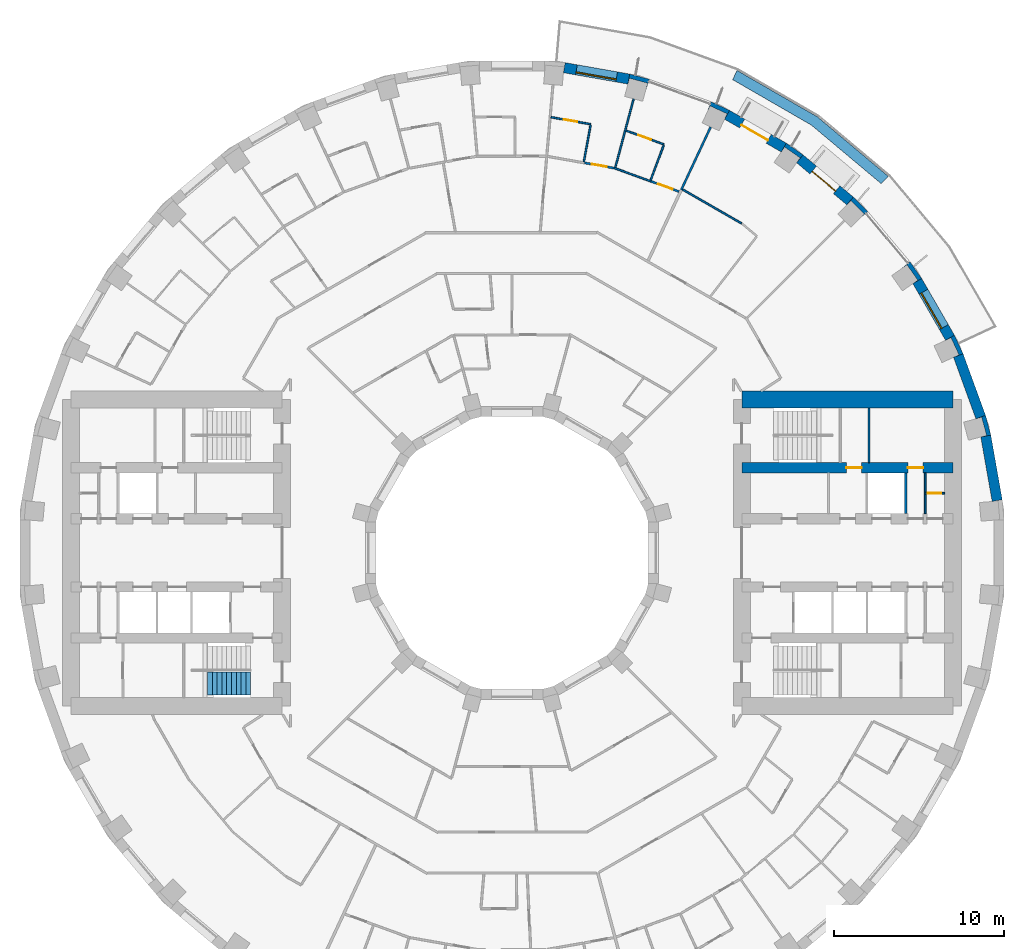
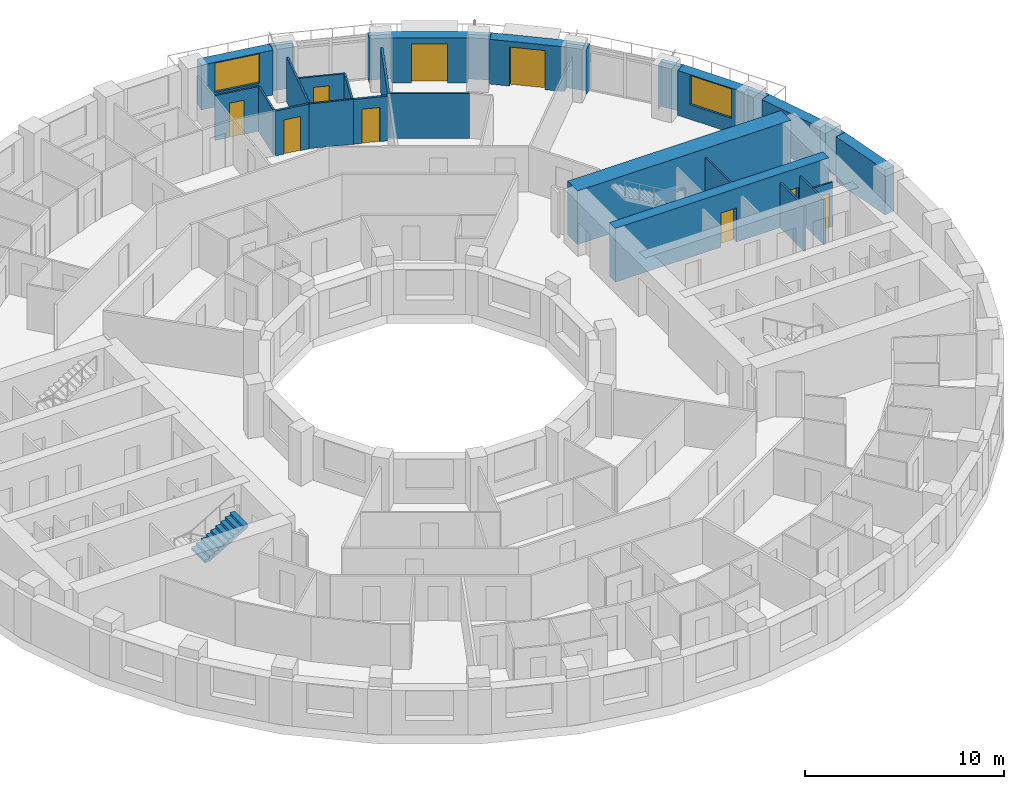
# One storey, part 13 of 15: 30 walls, 9 doors, 2 windows, 1 stair flight, 11 openings, 1 element without a shape of its own.
"""IFC4 building model written with IfcOpenShell, lengths in metres."""

from ifc_helpers import new_model, si_unit, direction, frame, frame_2d, origin, place, context, subcontext, project, spatial, polyline, rectangle, outline, extrude, material, layer, layer_set, type_object, element, fill, aggregate, save


model = new_model("IFC4")

# Units and contexts
model_context = context("Model", 3, precision=1e-05, world=origin(), true_north=direction((0.0, 1.0)))
body_context = subcontext(model_context, "Body", "Model", "MODEL_VIEW")
ifc_project = project(units=[si_unit("LENGTHUNIT", "METRE"), si_unit("AREAUNIT", "SQUARE_METRE"), si_unit("VOLUMEUNIT", "CUBIC_METRE"), si_unit("PLANEANGLEUNIT", "RADIAN"), si_unit("MASSUNIT", "GRAM", prefix="KILO")], contexts=[model_context])

# Site, building, storey
site_placement = place(None, origin())
site = spatial("IfcSite", under=ifc_project, at=site_placement, CompositionType="ELEMENT")
building_placement = place(site_placement, origin())
building = spatial("IfcBuilding", under=site, at=building_placement, Name="Saqina Gate Tower", CompositionType="ELEMENT")
storey_placement = place(building_placement, frame((0.0, 0.0, 69.199951171875)))
storey = spatial("IfcBuildingStorey", under=building, at=storey_placement, Name="L19", CompositionType="ELEMENT", Elevation=69.199951171875)

# Walls
ifc_material_1 = material(Name="Brick masonry (red)", Category="masonry")
wall_type_1 = type_object("IfcWallType", Name="BRICK PIER COPING RED", PredefinedType="SOLIDWALL", material=ifc_material_1)
wall_1_placement = place(storey_placement, origin())
element("IfcWall", 1, at=wall_1_placement, inside=storey, type_object=wall_type_1, Name="Pier cap L19 column 2", PredefinedType="SOLIDWALL", context=body_context, shape_type="SweptSolid", body=[
    extrude(outline(polyline([(28.11669921875, 6.910400390625), (27.80517578125, 8.073974609375), (27.2412109375, 7.86865234375), (27.57958984375, 7.95947265625), (27.864501953125, 6.896728515625), (27.52587890625, 6.80615234375), (28.11669921875, 6.910400390625)])), origin(), (0.0, 0.0, 1.0), 2.75),
])
wall_2_placement = place(storey_placement, origin())
element("IfcWall", 2, at=wall_2_placement, inside=storey, type_object=wall_type_1, Name="Pier cap L19 column 3", PredefinedType="SOLIDWALL", context=body_context, shape_type="SweptSolid", body=[
    extrude(outline(polyline([(25.980712890625, 12.779541015625), (25.4609375, 12.4794921875), (25.778564453125, 12.627685546875), (26.243408203125, 11.630615234375), (25.92578125, 11.482666015625), (26.48974609375, 11.687744140625), (25.980712890625, 12.779541015625)])), origin(), (0.0, 0.0, 1.0), 2.75),
])
wall_3_placement = place(storey_placement, origin())
element("IfcWall", 3, at=wall_3_placement, inside=storey, type_object=wall_type_1, Name="Pier cap L19 column 4", PredefinedType="SOLIDWALL", context=body_context, shape_type="SweptSolid", body=[
    extrude(outline(polyline([(24.0576171875, 16.110107421875), (23.36669921875, 17.096923828125), (22.9072265625, 16.711181640625), (23.194091796875, 16.912109375), (23.8251953125, 16.010986328125), (23.5380859375, 15.81005859375), (24.0576171875, 16.110107421875)])), origin(), (0.0, 0.0, 1.0), 2.75),
])
wall_4_placement = place(storey_placement, origin())
element("IfcWall", 4, at=wall_4_placement, inside=storey, type_object=wall_type_1, Name="Pier cap L19 column 5", PredefinedType="SOLIDWALL", context=body_context, shape_type="SweptSolid", body=[
    extrude(outline(polyline([(20.04296875, 20.894775390625), (19.6572265625, 20.43505859375), (19.905029296875, 20.682861328125), (20.682861328125, 19.905029296875), (20.43505859375, 19.6572265625), (20.894775390625, 20.04296875), (20.04296875, 20.894775390625)])), origin(), (0.0, 0.0, 1.0), 2.75),
])
wall_5_placement = place(storey_placement, origin())
element("IfcWall", 5, at=wall_5_placement, inside=storey, type_object=wall_type_1, Name="Pier cap L19 column 6", PredefinedType="SOLIDWALL", context=body_context, shape_type="SweptSolid", body=[
    extrude(outline(polyline([(17.096923828125, 23.36669921875), (16.110107421875, 24.0576171875), (15.81005859375, 23.5380859375), (16.010986328125, 23.8251953125), (16.912109375, 23.194091796875), (16.711181640625, 22.9072265625), (17.096923828125, 23.36669921875)])), origin(), (0.0, 0.0, 1.0), 2.75),
])
wall_6_placement = place(storey_placement, origin())
element("IfcWall", 6, at=wall_6_placement, inside=storey, type_object=wall_type_1, Name="Pier cap L19 column 7", PredefinedType="SOLIDWALL", context=body_context, shape_type="SweptSolid", body=[
    extrude(outline(polyline([(11.687744140625, 26.48974609375), (11.482666015625, 25.92578125), (11.630615234375, 26.243408203125), (12.627685546875, 25.778564453125), (12.4794921875, 25.4609375), (12.779541015625, 25.980712890625), (11.687744140625, 26.48974609375)])), origin(), (0.0, 0.0, 1.0), 2.75),
])
wall_7_placement = place(storey_placement, origin())
element("IfcWall", 7, at=wall_7_placement, inside=storey, type_object=wall_type_1, Name="Pier cap L19 column 8", PredefinedType="SOLIDWALL", context=body_context, shape_type="SweptSolid", body=[
    extrude(outline(polyline([(6.910400390625, 28.11669921875), (6.80615234375, 27.52587890625), (6.896728515625, 27.864501953125), (7.95947265625, 27.57958984375), (7.86865234375, 27.2412109375), (8.073974609375, 27.80517578125), (6.910400390625, 28.11669921875)])), origin(), (0.0, 0.0, 1.0), 2.75),
])
ifc_material_2 = material(Name="Gypsum board on steel studs", Category="steel")
ifc_layer_1 = layer(ifc_material_2, 0.10009765625)
ifc_layer_set_1 = layer_set([ifc_layer_1], Name="CORE PARTITION")
wall_type_2 = type_object("IfcWallType", Name="CORE PARTITION", PredefinedType="PARTITIONING", material=ifc_layer_set_1)
wall_8_placement = place(storey_placement, frame((24.260009765625, 2.300048828125, 0.0), z_axis=(0.0, 0.0, 1.0), x_axis=(0.0, 1.0, 0.0)))
element("IfcWall", 8, at=wall_8_placement, inside=storey, type_object=wall_type_2, Name="L19-CP-E04", PredefinedType="PARTITIONING", context=body_context, shape_type="SweptSolid", body=[
    extrude(rectangle(XDim=2.39990234375, YDim=0.10009765625, at=frame_2d((1.199951171875, 0.0))), origin(), (0.0, 0.0, 1.0), 2.75),
])

# Wall, opening, door
wall_9_placement = place(storey_placement, frame((24.260009765625, 3.5, 0.0), z_axis=(0.0, 0.0, 1.0), x_axis=(1.0, 0.0, 0.0)))
wall_9 = element("IfcWall", 9, at=wall_9_placement, inside=storey, type_object=wall_type_2, Name="L19-CP-E10", PredefinedType="PARTITIONING", context=body_context, shape_type="SweptSolid", body=[
    extrude(rectangle(XDim=1.139892578125, YDim=0.10009765625, at=frame_2d((0.56982421875, 0.0))), origin(), (0.0, 0.0, 1.0), 2.75),
])
opening_1_placement = place(wall_9_placement, frame((0.14990234375, 0.0, 0.0)))
opening_1 = element("IfcOpeningElement", 10, at=opening_1_placement, cuts=wall_9, Name="Opening G05-D97", PredefinedType="OPENING", context=body_context, shape_type="SweptSolid", body=[
    extrude(rectangle(XDim=0.800048828125, YDim=2.10009765625, at=frame_2d((0.39990234375, 1.050048828125))), frame((0.0, 0.06201171875, 0.0), z_axis=(0.0, -1.0, 0.0), x_axis=(1.0, 0.0, 0.0)), (0.0, 0.0, 1.0), 0.1240234375),
])
ifc_material_3 = material(Name="Steel-framed fire door leaf, EI 60", Category="steel")
door_type_1 = type_object("IfcDoorType", Name="SERVICE ROOM DOOR 800", OperationType="SINGLE_SWING_LEFT", PredefinedType="DOOR", material=ifc_material_3)
door_1_placement = place(opening_1_placement, origin())
door_1 = element("IfcDoor", 11, at=door_1_placement, inside=storey, type_object=door_type_1, Name="L19-CD-E08", OperationType="SINGLE_SWING_RIGHT", OverallHeight=2.10009765625, OverallWidth=0.800048828125, PredefinedType="DOOR", context=body_context, shape_type="SweptSolid", body=[
    extrude(rectangle(XDim=0.800048828125, YDim=2.10009765625, at=frame_2d((0.39990234375, 1.050048828125))), frame((0.0, 0.02490234375, 0.0), z_axis=(0.0, -1.0, 0.0), x_axis=(1.0, 0.0, 0.0)), (0.0, 0.0, 1.0), 0.050048828125),
])
fill(opening_1, door_1)

# Wall
wall_10_placement = place(storey_placement, frame((20.961669921875, 5.300048828125, 0.0), z_axis=(0.0, 0.0, 1.0), x_axis=(0.0, 1.0, 0.0)))
element("IfcWall", 12, at=wall_10_placement, inside=storey, type_object=wall_type_2, Name="L19-CP-E12", PredefinedType="PARTITIONING", context=body_context, shape_type="SweptSolid", body=[
    extrude(rectangle(XDim=3.199951171875, YDim=0.10009765625, at=frame_2d((1.60009765625, 0.0))), origin(), (0.0, 0.0, 1.0), 2.75),
])

# Wall, opening, window
ifc_material_4 = material(Name="Brick masonry (red)", Category="masonry")
ifc_layer_2 = layer(ifc_material_4, 0.60009765625)
ifc_layer_set_2 = layer_set([ifc_layer_2], Name="FW-BRICK-RED")
wall_type_3 = type_object("IfcWallType", Name="FW-BRICK-RED", PredefinedType="SOLIDWALL", material=ifc_layer_set_2)
wall_11_placement = place(storey_placement, frame((25.720703125, 12.629638671875, 0.0), z_axis=(0.0, 0.0, 1.0), x_axis=(-0.499989888488, 0.86603124159, 0.0)))
wall_11 = element("IfcWall", 13, at=wall_11_placement, inside=storey, type_object=wall_type_3, Name="Facade wall L19 facet 3", PredefinedType="SOLIDWALL", context=body_context, shape_type="SweptSolid", body=[
    extrude(rectangle(XDim=3.845703125, YDim=0.60009765625, at=frame_2d((1.9228515625, 0.0))), origin(), (0.0, 0.0, 1.0), 2.75),
])
opening_2_placement = place(wall_11_placement, frame((0.722900390625, 0.0, 0.89990234375)))
opening_2 = element("IfcOpeningElement", 14, at=opening_2_placement, cuts=wall_11, Name="Opening G05-W01", PredefinedType="OPENING", context=body_context, shape_type="SweptSolid", body=[
    extrude(rectangle(XDim=2.39990234375, YDim=1.800048828125, at=frame_2d((1.199951171875, 0.89990234375))), frame((0.0, 0.31201171875, 0.0), z_axis=(0.0, -1.0, 0.0), x_axis=(1.0, 0.0, 0.0)), (0.0, 0.0, 1.0), 0.6240234375),
])
ifc_material_5 = material(Name="Aluminium glazing", Category="aluminium")
window_type = type_object("IfcWindowType", Name="WN-A", PartitioningType="SINGLE_PANEL", PredefinedType="WINDOW", material=ifc_material_5)
window_1_placement = place(opening_2_placement, origin())
window_1 = element("IfcWindow", 15, at=window_1_placement, inside=storey, type_object=window_type, Name="Window L19 facet 3", OverallHeight=1.800048828125, OverallWidth=2.39990234375, PartitioningType="SINGLE_PANEL", PredefinedType="WINDOW", context=body_context, shape_type="SweptSolid", body=[
    extrude(rectangle(XDim=2.39990234375, YDim=1.800048828125, at=frame_2d((1.199951171875, 0.89990234375))), frame((0.0, 0.179931640625, 0.0), z_axis=(0.0, -1.0, 0.0), x_axis=(1.0, 0.0, 0.0)), (0.0, 0.0, 1.0), 0.06005859375),
])
fill(opening_2, window_1)

# Wall, opening, door
wall_12_placement = place(storey_placement, frame((19.85009765625, 20.664794921875, 0.0), z_axis=(0.0, 0.0, 1.0), x_axis=(-0.766026164483, 0.642809392687, 0.0)))
wall_12 = element("IfcWall", 16, at=wall_12_placement, inside=storey, type_object=wall_type_3, Name="Facade wall L19 facet 5", PredefinedType="SOLIDWALL", context=body_context, shape_type="SweptSolid", body=[
    extrude(rectangle(XDim=3.845947265625, YDim=0.60009765625, at=frame_2d((1.9228515625, 0.0))), origin(), (0.0, 0.0, 1.0), 2.75),
])
opening_3_placement = place(wall_12_placement, frame((1.02294921875, 0.0, 0.0)))
opening_3 = element("IfcOpeningElement", 17, at=opening_3_placement, cuts=wall_12, Name="Opening G05-D80", PredefinedType="OPENING", context=body_context, shape_type="SweptSolid", body=[
    extrude(rectangle(XDim=1.800048828125, YDim=2.39990234375, at=frame_2d((0.89990234375, 1.199951171875))), frame((0.0, 0.31201171875, 0.0), z_axis=(0.0, -1.0, 0.0), x_axis=(1.0, 0.0, 0.0)), (0.0, 0.0, 1.0), 0.6240234375),
])
ifc_material_6 = material(Name="Aluminium glazing", Category="aluminium")
door_type_2 = type_object("IfcDoorType", Name="GD-A", OperationType="DOUBLE_DOOR_SINGLE_SWING", PredefinedType="DOOR", material=ifc_material_6)
door_2_placement = place(opening_3_placement, frame((1.800048828125, 0.0, 0.0), z_axis=(0.0, 0.0, 1.0), x_axis=(-1.0, 0.0, 0.0)))
door_2 = element("IfcDoor", 18, at=door_2_placement, inside=storey, type_object=door_type_2, Name="Terrace door L19 facet 5", OperationType="DOUBLE_DOOR_SINGLE_SWING", OverallHeight=2.39990234375, OverallWidth=1.800048828125, PredefinedType="DOOR", context=body_context, shape_type="SweptSolid", body=[
    extrude(rectangle(XDim=1.800048828125, YDim=2.39990234375, at=frame_2d((0.89990234375, 1.199951171875))), frame((0.0, -0.0751953125, 0.0), z_axis=(0.0, -1.0, 0.0), x_axis=(1.0, 0.0, 0.0)), (0.0, 0.0, 1.0), 0.050048828125),
])
fill(opening_3, door_2)

wall_13_placement = place(storey_placement, frame((15.960205078125, 23.7978515625, 0.0), z_axis=(0.0, 0.0, 1.0), x_axis=(-0.86603124159, 0.499989888488, 0.0)))
wall_13 = element("IfcWall", 19, at=wall_13_placement, inside=storey, type_object=wall_type_3, Name="Facade wall L19 facet 6", PredefinedType="SOLIDWALL", context=body_context, shape_type="SweptSolid", body=[
    extrude(rectangle(XDim=3.845703125, YDim=0.60009765625, at=frame_2d((1.9228515625, 0.0))), origin(), (0.0, 0.0, 1.0), 2.75),
])
opening_4_placement = place(wall_13_placement, frame((1.02294921875, 0.0, 0.0)))
opening_4 = element("IfcOpeningElement", 20, at=opening_4_placement, cuts=wall_13, Name="Opening G05-D81", PredefinedType="OPENING", context=body_context, shape_type="SweptSolid", body=[
    extrude(rectangle(XDim=1.800048828125, YDim=2.39990234375, at=frame_2d((0.89990234375, 1.199951171875))), frame((0.0, 0.31201171875, 0.0), z_axis=(0.0, -1.0, 0.0), x_axis=(1.0, 0.0, 0.0)), (0.0, 0.0, 1.0), 0.6240234375),
])
door_3_placement = place(opening_4_placement, frame((1.800048828125, 0.0, 0.0), z_axis=(0.0, 0.0, 1.0), x_axis=(-1.0, 0.0, 0.0)))
door_3 = element("IfcDoor", 21, at=door_3_placement, inside=storey, type_object=door_type_2, Name="Terrace door L19 facet 6", OperationType="DOUBLE_DOOR_SINGLE_SWING", OverallHeight=2.39990234375, OverallWidth=1.800048828125, PredefinedType="DOOR", context=body_context, shape_type="SweptSolid", body=[
    extrude(rectangle(XDim=1.800048828125, YDim=2.39990234375, at=frame_2d((0.89990234375, 1.199951171875))), frame((0.0, -0.0751953125, 0.0), z_axis=(0.0, -1.0, 0.0), x_axis=(1.0, 0.0, 0.0)), (0.0, 0.0, 1.0), 0.050048828125),
])
fill(opening_4, door_3)

# Wall, opening, window
wall_14_placement = place(storey_placement, frame((6.858154296875, 27.8212890625, 0.0), z_axis=(0.0, 0.0, 1.0), x_axis=(-0.984800809218, 0.173687553279, 0.0)))
wall_14 = element("IfcWall", 22, at=wall_14_placement, inside=storey, type_object=wall_type_3, Name="Facade wall L19 facet 8", PredefinedType="SOLIDWALL", context=body_context, shape_type="SweptSolid", body=[
    extrude(rectangle(XDim=3.845703125, YDim=0.60009765625, at=frame_2d((1.9228515625, 0.0))), origin(), (0.0, 0.0, 1.0), 2.75),
])
opening_5_placement = place(wall_14_placement, frame((0.722900390625, 0.0, 0.89990234375)))
opening_5 = element("IfcOpeningElement", 23, at=opening_5_placement, cuts=wall_14, Name="Opening G05-W02", PredefinedType="OPENING", context=body_context, shape_type="SweptSolid", body=[
    extrude(rectangle(XDim=2.39990234375, YDim=1.800048828125, at=frame_2d((1.199951171875, 0.89990234375))), frame((0.0, 0.31201171875, 0.0), z_axis=(0.0, -1.0, 0.0), x_axis=(1.0, 0.0, 0.0)), (0.0, 0.0, 1.0), 0.6240234375),
])
window_2_placement = place(opening_5_placement, origin())
window_2 = element("IfcWindow", 24, at=window_2_placement, inside=storey, type_object=window_type, Name="Window L19 facet 8", OverallHeight=1.800048828125, OverallWidth=2.39990234375, PartitioningType="SINGLE_PANEL", PredefinedType="WINDOW", context=body_context, shape_type="SweptSolid", body=[
    extrude(rectangle(XDim=2.39990234375, YDim=1.800048828125, at=frame_2d((1.199951171875, 0.89990234375))), frame((0.0, 0.179931640625, 0.0), z_axis=(0.0, -1.0, 0.0), x_axis=(1.0, 0.0, 0.0)), (0.0, 0.0, 1.0), 0.06005859375),
])
fill(opening_5, window_2)

# Walls
ifc_material_7 = material(Name="Glazed ceramic tile", Category="ceramic")
ifc_layer_3 = layer(ifc_material_7, 0.60009765625)
ifc_layer_set_3 = layer_set([ifc_layer_3], Name="FW-TILE")
wall_type_4 = type_object("IfcWallType", Name="FW-TILE", PredefinedType="SOLIDWALL", material=ifc_layer_set_3)
wall_15_placement = place(storey_placement, frame((27.523193359375, 7.97119140625, 0.0), z_axis=(0.0, 0.0, 1.0), x_axis=(-0.342028474173, 0.939689588564, 0.0)))
element("IfcWall", 25, at=wall_15_placement, inside=storey, type_object=wall_type_4, Name="Facade wall L19 facet 2", PredefinedType="SOLIDWALL", context=body_context, shape_type="SweptSolid", body=[
    extrude(rectangle(XDim=3.845947265625, YDim=0.60009765625, at=frame_2d((1.9228515625, 0.0))), origin(), (0.0, 0.0, 1.0), 2.75),
])
ifc_material_8 = material(Name="Glazed ceramic tile (white)", Category="ceramic")
ifc_layer_4 = layer(ifc_material_8, 0.60009765625)
ifc_layer_set_4 = layer_set([ifc_layer_4], Name="FW-TILE-WH")
wall_type_5 = type_object("IfcWallType", Name="FW-TILE-WH", PredefinedType="SOLIDWALL", material=ifc_layer_set_4)
wall_16_placement = place(storey_placement, frame((28.4892578125, 3.07080078125, 0.0), z_axis=(0.0, 0.0, 1.0), x_axis=(-0.173687553279, 0.984800809218, 0.0)))
element("IfcWall", 26, at=wall_16_placement, inside=storey, type_object=wall_type_5, Name="Facade wall L19 facet 1", PredefinedType="SOLIDWALL", context=body_context, shape_type="SweptSolid", body=[
    extrude(rectangle(XDim=3.845703125, YDim=0.60009765625, at=frame_2d((1.9228515625, 0.0))), origin(), (0.0, 0.0, 1.0), 2.75),
])
ifc_material_9 = material(Name="Gypsum board on steel studs, 100 mm", Category="steel")
ifc_layer_5 = layer(ifc_material_9, 0.10009765625)
ifc_layer_set_5 = layer_set([ifc_layer_5], Name="PARTITION 100")
wall_type_6 = type_object("IfcWallType", Name="PARTITION 100", PredefinedType="PARTITIONING", material=ifc_layer_set_5)
wall_17_placement = place(storey_placement, frame((10.030029296875, 21.33251953125, 0.0), z_axis=(0.0, 0.0, 1.0), x_axis=(0.866067260862, -0.499927494405, 0.0)))
element("IfcWall", 27, at=wall_17_placement, inside=storey, type_object=wall_type_6, Name="PARTITION PW3-47", PredefinedType="PARTITIONING", context=body_context, shape_type="SweptSolid", body=[
    extrude(rectangle(XDim=3.9853515625, YDim=0.10009765625, at=frame_2d((1.99267578125, 0.0))), origin(), (0.0, 0.0, 1.0), 2.75),
])
wall_18_placement = place(storey_placement, frame((6.003173828125, 22.599365234375, 0.0), z_axis=(0.0, 0.0, 1.0), x_axis=(0.939700645731, -0.341998094165, 0.0)))
element("IfcWall", 28, at=wall_18_placement, inside=storey, type_object=wall_type_6, Name="PARTITION PW3-52", PredefinedType="PARTITIONING", context=body_context, shape_type="SweptSolid", body=[
    extrude(rectangle(XDim=2.3056640625, YDim=0.10009765625, at=frame_2d((1.15283203125, 0.0))), origin(), (0.0, 0.0, 1.0), 2.75),
])

# Wall, opening, door
wall_19_placement = place(storey_placement, frame((6.695068359375, 24.794921875, 0.0), z_axis=(0.0, 0.0, 1.0), x_axis=(0.939643152994, -0.342156024399, 0.0)))
wall_19 = element("IfcWall", 29, at=wall_19_placement, inside=storey, type_object=wall_type_6, Name="PARTITION PW3-53", PredefinedType="PARTITIONING", context=body_context, shape_type="SweptSolid", body=[
    extrude(rectangle(XDim=2.373291015625, YDim=0.10009765625, at=frame_2d((1.1865234375, 0.0))), origin(), (0.0, 0.0, 1.0), 2.75),
])
opening_6_placement = place(wall_19_placement, frame((0.76171875, 0.0, 0.0)))
opening_6 = element("IfcOpeningElement", 30, at=opening_6_placement, cuts=wall_19, Name="Opening G05-D07", PredefinedType="OPENING", context=body_context, shape_type="SweptSolid", body=[
    extrude(rectangle(XDim=0.800048828125, YDim=2.10009765625, at=frame_2d((0.39990234375, 1.050048828125))), frame((0.0, 0.06201171875, 0.0), z_axis=(0.0, -1.0, 0.0), x_axis=(1.0, 0.0, 0.0)), (0.0, 0.0, 1.0), 0.1240234375),
])
ifc_material_10 = material(Name="Timber door leaf, 800 mm", Category="wood")
door_type_3 = type_object("IfcDoorType", Name="DOOR 800 TIMBER", OperationType="SINGLE_SWING_LEFT", PredefinedType="DOOR", material=ifc_material_10)
door_4_placement = place(opening_6_placement, origin())
door_4 = element("IfcDoor", 31, at=door_4_placement, inside=storey, type_object=door_type_3, Name="DOOR G05-D07", OperationType="SINGLE_SWING_LEFT", OverallHeight=2.10009765625, OverallWidth=0.800048828125, PredefinedType="DOOR", context=body_context, shape_type="SweptSolid", body=[
    extrude(rectangle(XDim=0.800048828125, YDim=2.10009765625, at=frame_2d((0.39990234375, 1.050048828125))), frame((0.0, 0.02490234375, 0.0), z_axis=(0.0, -1.0, 0.0), x_axis=(1.0, 0.0, 0.0)), (0.0, 0.0, 1.0), 0.050048828125),
])
fill(opening_6, door_4)

wall_20_placement = place(storey_placement, frame((2.28857421875, 25.581298828125, 0.0), z_axis=(0.0, 0.0, 1.0), x_axis=(0.984780450856, -0.173802944775, 0.0)))
wall_20 = element("IfcWall", 32, at=wall_20_placement, inside=storey, type_object=wall_type_6, Name="PARTITION PW3-57", PredefinedType="PARTITIONING", context=body_context, shape_type="SweptSolid", body=[
    extrude(rectangle(XDim=2.37255859375, YDim=0.10009765625, at=frame_2d((1.186279296875, 0.0))), origin(), (0.0, 0.0, 1.0), 2.75),
])
opening_7_placement = place(wall_20_placement, frame((0.76123046875, 0.0, 0.0)))
opening_7 = element("IfcOpeningElement", 33, at=opening_7_placement, cuts=wall_20, Name="Opening G05-D09", PredefinedType="OPENING", context=body_context, shape_type="SweptSolid", body=[
    extrude(rectangle(XDim=0.800048828125, YDim=2.10009765625, at=frame_2d((0.39990234375, 1.050048828125))), frame((0.0, 0.06201171875, 0.0), z_axis=(0.0, -1.0, 0.0), x_axis=(1.0, 0.0, 0.0)), (0.0, 0.0, 1.0), 0.1240234375),
])
door_5_placement = place(opening_7_placement, origin())
door_5 = element("IfcDoor", 34, at=door_5_placement, inside=storey, type_object=door_type_3, Name="DOOR G05-D09", OperationType="SINGLE_SWING_LEFT", OverallHeight=2.10009765625, OverallWidth=0.800048828125, PredefinedType="DOOR", context=body_context, shape_type="SweptSolid", body=[
    extrude(rectangle(XDim=0.800048828125, YDim=2.10009765625, at=frame_2d((0.39990234375, 1.050048828125))), frame((0.0, 0.02490234375, 0.0), z_axis=(0.0, -1.0, 0.0), x_axis=(1.0, 0.0, 0.0)), (0.0, 0.0, 1.0), 0.050048828125),
])
fill(opening_7, door_5)

# Walls
wall_21_placement = place(storey_placement, frame((8.144775390625, 21.886474609375, 0.0), z_axis=(0.0, 0.0, 1.0), x_axis=(0.348761078078, 0.937211667884, 0.0)))
element("IfcWall", 35, at=wall_21_placement, inside=storey, type_object=wall_type_6, Name="PARTITION PW3-102", PredefinedType="PARTITIONING", context=body_context, shape_type="SweptSolid", body=[
    extrude(rectangle(XDim=2.186767578125, YDim=0.10009765625, at=frame_2d((1.09326171875, 0.0))), origin(), (0.0, 0.0, 1.0), 2.75),
])
wall_22_placement = place(storey_placement, frame((6.067138671875, 22.642333984375, 0.0), z_axis=(0.0, 0.0, 1.0), x_axis=(0.258618430752, 0.965979558415, 0.0)))
element("IfcWall", 36, at=wall_22_placement, inside=storey, type_object=wall_type_6, Name="PARTITION PW3-105", PredefinedType="PARTITIONING", context=body_context, shape_type="SweptSolid", body=[
    extrude(rectangle(XDim=4.14892578125, YDim=0.10009765625, at=frame_2d((2.074462890625, 0.0))), origin(), (0.0, 0.0, 1.0), 2.75),
])
wall_23_placement = place(storey_placement, frame((4.22021484375, 22.968505859375, 0.0), z_axis=(0.0, 0.0, 1.0), x_axis=(0.180918125104, 0.983498160653, 0.0)))
element("IfcWall", 37, at=wall_23_placement, inside=storey, type_object=wall_type_6, Name="PARTITION PW3-108", PredefinedType="PARTITIONING", context=body_context, shape_type="SweptSolid", body=[
    extrude(rectangle(XDim=2.1875, YDim=0.10009765625, at=frame_2d((1.09375, 0.0))), origin(), (0.0, 0.0, 1.0), 2.75),
])

# Wall, opening, door
ifc_material_11 = material(Name="Gypsum board on steel studs, 125 mm, fire rated", Category="steel")
ifc_layer_6 = layer(ifc_material_11, 0.125)
ifc_layer_set_6 = layer_set([ifc_layer_6], Name="PARTITION EI 30 125")
wall_type_7 = type_object("IfcWallType", Name="PARTITION EI 30 125", PredefinedType="PARTITIONING", material=ifc_layer_set_6)
wall_24_placement = place(storey_placement, frame((8.169921875, 21.810791015625, 0.0), z_axis=(0.0, 0.0, 1.0), x_axis=(0.939621739114, -0.342214826366, 0.0)))
wall_24 = element("IfcWall", 38, at=wall_24_placement, inside=storey, type_object=wall_type_7, Name="PARTITION PW1-17", PredefinedType="PARTITIONING", context=body_context, shape_type="SweptSolid", body=[
    extrude(rectangle(XDim=1.7451171875, YDim=0.125, at=frame_2d((0.87255859375, 0.0))), origin(), (0.0, 0.0, 1.0), 2.75),
])
opening_8_placement = place(wall_24_placement, frame((0.43505859375, 0.0, 0.0)))
opening_8 = element("IfcOpeningElement", 39, at=opening_8_placement, cuts=wall_24, Name="Opening G05-D06", PredefinedType="OPENING", context=body_context, shape_type="SweptSolid", body=[
    extrude(rectangle(XDim=0.89990234375, YDim=2.10009765625, at=frame_2d((0.449951171875, 1.050048828125))), frame((0.0, 0.074462890625, 0.0), z_axis=(0.0, -1.0, 0.0), x_axis=(1.0, 0.0, 0.0)), (0.0, 0.0, 1.0), 0.14892578125),
])
ifc_material_12 = material(Name="Fire door leaf EI 30, 900 mm")
door_type_4 = type_object("IfcDoorType", Name="DOOR 900 EI 30", OperationType="SINGLE_SWING_LEFT", PredefinedType="DOOR", material=ifc_material_12)
door_6_placement = place(opening_8_placement, frame((0.89990234375, 0.0, 0.0), z_axis=(0.0, 0.0, 1.0), x_axis=(-1.0, 0.0, 0.0)))
door_6 = element("IfcDoor", 40, at=door_6_placement, inside=storey, type_object=door_type_4, Name="DOOR G05-D06", OperationType="SINGLE_SWING_LEFT", OverallHeight=2.10009765625, OverallWidth=0.89990234375, PredefinedType="DOOR", context=body_context, shape_type="SweptSolid", body=[
    extrude(rectangle(XDim=0.89990234375, YDim=2.10009765625, at=frame_2d((0.449951171875, 1.050048828125))), frame((0.0, 0.02490234375, 0.0), z_axis=(0.0, -1.0, 0.0), x_axis=(1.0, 0.0, 0.0)), (0.0, 0.0, 1.0), 0.050048828125),
])
fill(opening_8, door_6)

wall_25_placement = place(storey_placement, frame((4.25830078125, 22.898193359375, 0.0), z_axis=(0.0, 0.0, 1.0), x_axis=(0.984787723486, -0.173761732473, 0.0)))
wall_25 = element("IfcWall", 41, at=wall_25_placement, inside=storey, type_object=wall_type_7, Name="PARTITION PW1-19", PredefinedType="PARTITIONING", context=body_context, shape_type="SweptSolid", body=[
    extrude(rectangle(XDim=1.770263671875, YDim=0.125, at=frame_2d((0.88525390625, 0.0))), origin(), (0.0, 0.0, 1.0), 2.75),
])
opening_9_placement = place(wall_25_placement, frame((0.435302734375, 0.0, 0.0)))
opening_9 = element("IfcOpeningElement", 42, at=opening_9_placement, cuts=wall_25, Name="Opening G05-D08", PredefinedType="OPENING", context=body_context, shape_type="SweptSolid", body=[
    extrude(rectangle(XDim=0.89990234375, YDim=2.10009765625, at=frame_2d((0.449951171875, 1.050048828125))), frame((0.0, 0.074462890625, 0.0), z_axis=(0.0, -1.0, 0.0), x_axis=(1.0, 0.0, 0.0)), (0.0, 0.0, 1.0), 0.14892578125),
])
door_7_placement = place(opening_9_placement, frame((0.89990234375, 0.0, 0.0), z_axis=(0.0, 0.0, 1.0), x_axis=(-1.0, 0.0, 0.0)))
door_7 = element("IfcDoor", 43, at=door_7_placement, inside=storey, type_object=door_type_4, Name="DOOR G05-D08", OperationType="SINGLE_SWING_LEFT", OverallHeight=2.10009765625, OverallWidth=0.89990234375, PredefinedType="DOOR", context=body_context, shape_type="SweptSolid", body=[
    extrude(rectangle(XDim=0.89990234375, YDim=2.10009765625, at=frame_2d((0.449951171875, 1.050048828125))), frame((0.0, 0.02490234375, 0.0), z_axis=(0.0, -1.0, 0.0), x_axis=(1.0, 0.0, 0.0)), (0.0, 0.0, 1.0), 0.050048828125),
])
fill(opening_9, door_7)

# Walls
wall_26_placement = place(storey_placement, frame((9.9384765625, 21.313232421875, 0.0), z_axis=(0.0, 0.0, 1.0), x_axis=(0.42349236443, 0.90589967285, 0.0)))
element("IfcWall", 44, at=wall_26_placement, inside=storey, type_object=wall_type_7, Name="PARTITION PW1-52", PredefinedType="PARTITIONING", context=body_context, shape_type="SweptSolid", body=[
    extrude(rectangle(XDim=4.073486328125, YDim=0.125, at=frame_2d((2.03662109375, 0.0))), origin(), (0.0, 0.0, 1.0), 2.75),
])
ifc_material_13 = material(Name="Brick masonry (red)", Category="masonry")
ifc_layer_7 = layer(ifc_material_13, 0.60009765625)
ifc_layer_set_7 = layer_set([ifc_layer_7], Name="PL-PLANTER")
wall_type_8 = type_object("IfcWallType", Name="PL-PLANTER", PredefinedType="PARAPET", material=ifc_layer_set_7)
wall_27_placement = place(storey_placement, origin())
element("IfcWall", 45, at=wall_27_placement, inside=storey, type_object=wall_type_8, Name="Planter L19", PredefinedType="PARAPET", context=body_context, shape_type="SweptSolid", body=[
    extrude(outline(polyline([(22.103271484375, 22.103271484375), (17.92919921875, 25.60546875), (13.21044921875, 28.329833984375), (12.955810546875, 27.783935546875), (17.583740234375, 25.1123046875), (21.67724609375, 21.67724609375), (22.103271484375, 22.103271484375)])), origin(), (0.0, 0.0, 1.0), 0.5),
])
ifc_material_14 = material(Name="Autoclaved aerated concrete block", Category="concrete")
ifc_layer_8 = layer(ifc_material_14, 0.1201171875)
ifc_layer_set_8 = layer_set([ifc_layer_8], Name="SHAFT PARTITION")
wall_type_9 = type_object("IfcWallType", Name="SHAFT PARTITION", PredefinedType="PARTITIONING", material=ifc_layer_set_8)
wall_28_placement = place(storey_placement, frame((23.1201171875, 2.300048828125, 0.0), z_axis=(0.0, 0.0, 1.0), x_axis=(0.0, 1.0, 0.0)))
element("IfcWall", 46, at=wall_28_placement, inside=storey, type_object=wall_type_9, Name="L19-CP-E03", PredefinedType="PARTITIONING", context=body_context, shape_type="SweptSolid", body=[
    extrude(rectangle(XDim=2.39990234375, YDim=0.1201171875, at=frame_2d((1.199951171875, 0.0))), origin(), (0.0, 0.0, 1.0), 2.75),
])

# Wall, openings, doors
ifc_material_15 = material(Name="Concrete C70/85", Category="concrete")
ifc_layer_9 = layer(ifc_material_15, 0.60009765625)
ifc_layer_set_9 = layer_set([ifc_layer_9], Name="Concrete C70/85")
wall_type_10 = type_object("IfcWallType", Name="STR-CORE WALL-A-I", PredefinedType="SHEAR", material=ifc_layer_set_9)
wall_29_placement = place(storey_placement, frame((13.5, 5.0, 0.0), z_axis=(0.0, 0.0, 1.0), x_axis=(1.0, 0.0, 0.0)))
wall_29 = element("IfcWall", 47, at=wall_29_placement, inside=storey, type_object=wall_type_10, Name="CORE WALL L19 E-X1", PredefinedType="SHEAR", context=body_context, shape_type="SweptSolid", body=[
    extrude(rectangle(XDim=12.39990234375, YDim=0.60009765625, at=frame_2d((6.199951171875, 0.0))), origin(), (0.0, 0.0, 1.0), 3.300048828125),
])
opening_10_placement = place(wall_29_placement, frame((6.1298828125, 0.0, 0.0)))
opening_10 = element("IfcOpeningElement", 48, at=opening_10_placement, cuts=wall_29, Name="Opening G05-D98", PredefinedType="OPENING", context=body_context, shape_type="SweptSolid", body=[
    extrude(rectangle(XDim=0.89990234375, YDim=2.10009765625, at=frame_2d((0.449951171875, 1.050048828125))), frame((0.0, 0.31201171875, 0.0), z_axis=(0.0, -1.0, 0.0), x_axis=(1.0, 0.0, 0.0)), (0.0, 0.0, 1.0), 0.6240234375),
])
opening_11_placement = place(wall_29_placement, frame((9.739990234375, 0.0, 0.0)))
opening_11 = element("IfcOpeningElement", 49, at=opening_11_placement, cuts=wall_29, Name="Opening G05-D99", PredefinedType="OPENING", context=body_context, shape_type="SweptSolid", body=[
    extrude(rectangle(XDim=0.89990234375, YDim=2.10009765625, at=frame_2d((0.449951171875, 1.050048828125))), frame((0.0, 0.31201171875, 0.0), z_axis=(0.0, -1.0, 0.0), x_axis=(1.0, 0.0, 0.0)), (0.0, 0.0, 1.0), 0.6240234375),
])
ifc_material_16 = material(Name="Steel-framed fire door leaf, EI 60", Category="steel")
door_type_5 = type_object("IfcDoorType", Name="SERVICE ROOM DOOR 900", OperationType="SINGLE_SWING_LEFT", PredefinedType="DOOR", material=ifc_material_16)
door_8_placement = place(opening_10_placement, frame((0.89990234375, 0.0, 0.0), z_axis=(0.0, 0.0, 1.0), x_axis=(-1.0, 0.0, 0.0)))
door_8 = element("IfcDoor", 50, at=door_8_placement, inside=storey, type_object=door_type_5, Name="L19-CD-E09", OperationType="SINGLE_SWING_LEFT", OverallHeight=2.10009765625, OverallWidth=0.89990234375, PredefinedType="DOOR", context=body_context, shape_type="SweptSolid", body=[
    extrude(rectangle(XDim=0.89990234375, YDim=2.10009765625, at=frame_2d((0.449951171875, 1.050048828125))), frame((0.0, 0.02490234375, 0.0), z_axis=(0.0, -1.0, 0.0), x_axis=(1.0, 0.0, 0.0)), (0.0, 0.0, 1.0), 0.050048828125),
])
fill(opening_10, door_8)
door_9_placement = place(opening_11_placement, origin())
door_9 = element("IfcDoor", 51, at=door_9_placement, inside=storey, type_object=door_type_5, Name="L19-CD-E10", OperationType="SINGLE_SWING_RIGHT", OverallHeight=2.10009765625, OverallWidth=0.89990234375, PredefinedType="DOOR", context=body_context, shape_type="SweptSolid", body=[
    extrude(rectangle(XDim=0.89990234375, YDim=2.10009765625, at=frame_2d((0.449951171875, 1.050048828125))), frame((0.0, 0.02490234375, 0.0), z_axis=(0.0, -1.0, 0.0), x_axis=(1.0, 0.0, 0.0)), (0.0, 0.0, 1.0), 0.050048828125),
])
fill(opening_11, door_9)

# Wall
ifc_material_17 = material(Name="Concrete C70/85", Category="concrete")
ifc_layer_10 = layer(ifc_material_17, 1.0)
ifc_layer_set_10 = layer_set([ifc_layer_10], Name="Concrete C70/85")
wall_type_11 = type_object("IfcWallType", Name="STR-CORE WALL-A-O", PredefinedType="SHEAR", material=ifc_layer_set_10)
wall_30_placement = place(storey_placement, frame((13.5, 9.0, 0.0), z_axis=(0.0, 0.0, 1.0), x_axis=(1.0, 0.0, 0.0)))
element("IfcWall", 52, at=wall_30_placement, inside=storey, type_object=wall_type_11, Name="CORE WALL L19 E-NE", PredefinedType="SHEAR", context=body_context, shape_type="SweptSolid", body=[
    extrude(rectangle(XDim=12.39990234375, YDim=1.0, at=frame_2d((6.199951171875, 0.0))), origin(), (0.0, 0.0, 1.0), 3.300048828125),
])

# Stair, stair flight
ifc_material_18 = material(Name="Concrete C40/50", Category="concrete")
stair_type = type_object("IfcStairType", Name="EXIT STAIR", PredefinedType="HALF_TURN_STAIR", material=ifc_material_18)
stair_placement = place(storey_placement, origin())
stair = element("IfcStair", 53, at=stair_placement, inside=storey, type_object=stair_type, Name="EXIT STAIR 4", PredefinedType="HALF_TURN_STAIR")
ifc_material_19 = material(Name="Concrete C40/50", Category="concrete")
stair_flight_type = type_object("IfcStairFlightType", Name="EXIT STAIR FLIGHT", PredefinedType="STRAIGHT", material=ifc_material_19)
stair_flight_placement = place(storey_placement, frame((-17.8701171875, -7.658447265625, 1.650146484375), z_axis=(0.0, 0.0, 1.0), x_axis=(1.0, 0.0, 0.0)))
stair_flight = element("IfcStairFlight", 54, at=stair_flight_placement, type_object=stair_flight_type, Name="EXIT STAIR 4 FLIGHT 2", NumberOfRisers=10, NumberOfTreads=9, PredefinedType="STRAIGHT", RiserHeight=0.165, TreadLength=0.28, context=body_context, shape_type="SweptSolid", body=[
    extrude(outline(polyline([(0.0, 0.0), (0.0, 0.1650390625), (0.280029296875, 0.1650390625), (0.280029296875, 0.330078125), (0.56005859375, 0.330078125), (0.56005859375, 0.4951171875), (0.840087890625, 0.4951171875), (0.840087890625, 0.659912109375), (1.1201171875, 0.659912109375), (1.1201171875, 0.824951171875), (1.39990234375, 0.824951171875), (1.39990234375, 0.989990234375), (1.679931640625, 0.989990234375), (1.679931640625, 1.155029296875), (1.9599609375, 1.155029296875), (1.9599609375, 1.320068359375), (2.239990234375, 1.320068359375), (2.239990234375, 1.485107421875), (2.52001953125, 1.485107421875), (2.52001953125, 1.64990234375), (2.52001953125, 1.31103515625), (0.295166015625, 0.0), (0.0, 0.0)])), frame((0.0, 0.675048828125, 0.0), z_axis=(0.0, -1.0, 0.0), x_axis=(1.0, 0.0, 0.0)), (0.0, 0.0, 1.0), 1.35009765625),
])
aggregate(stair, [stair_flight])

save(model, "model.ifc")
